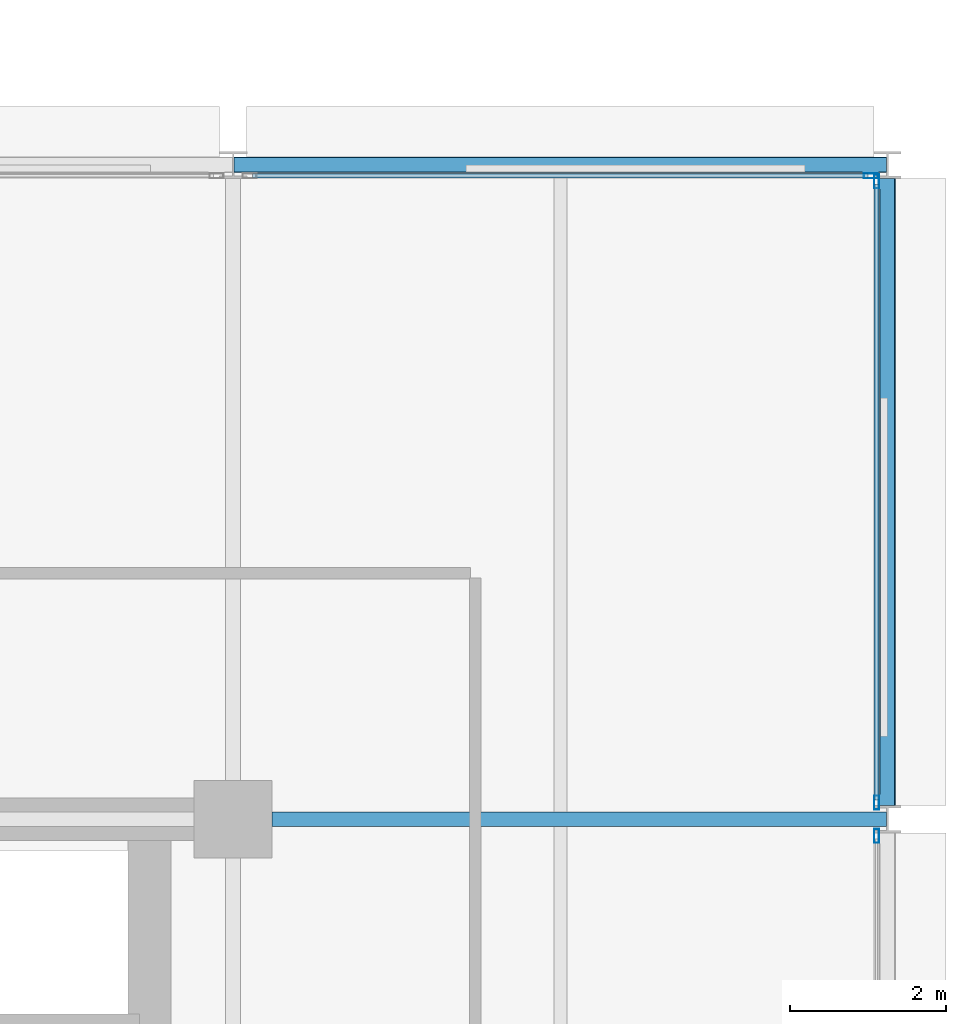
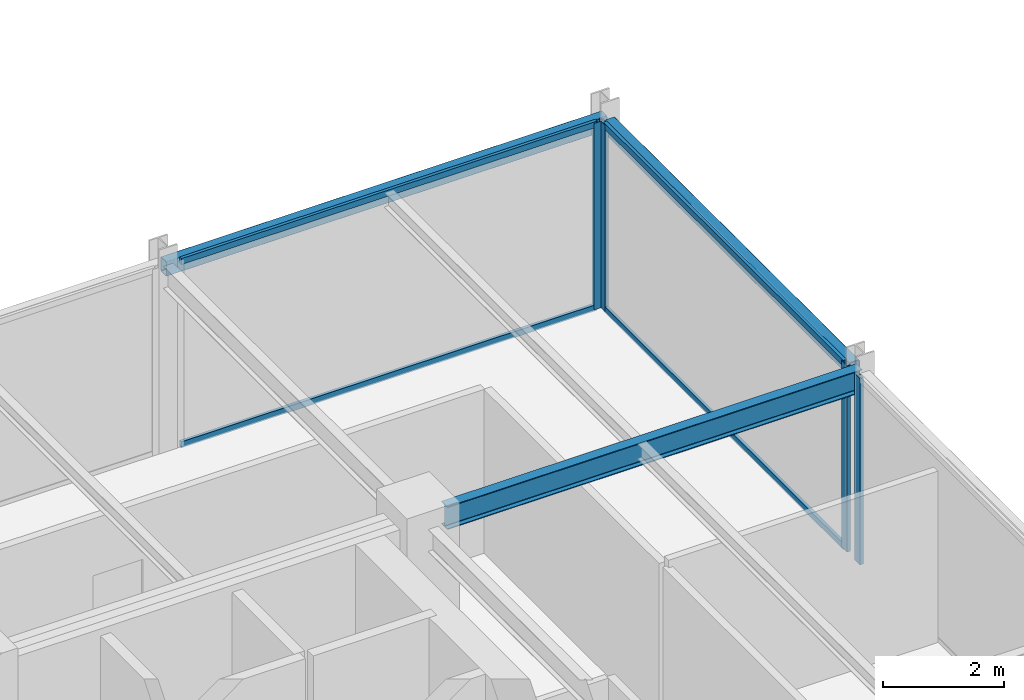
# One storey, part 16 of 30: 8 members, 3 beams, 3 elements without a shape of their own.
"""IFC4 building model written with IfcOpenShell, lengths in metres."""

from ifc_helpers import new_model, si_unit, direction, frame, origin, origin_2d, place, context, subcontext, project, spatial, hollow_rectangle, i_section, extrude, material, layer, layer_set, material_profile, profile_set, type_object, element, aggregate, save


model = new_model("IFC4")

# Units and contexts
model_context = context("Model", 3, precision=1e-05, world=origin(), true_north=direction((0.0, 1.0)))
body_context = subcontext(model_context, "Body", "Model", "MODEL_VIEW")
ifc_project = project(units=[si_unit("LENGTHUNIT", "METRE"), si_unit("AREAUNIT", "SQUARE_METRE"), si_unit("VOLUMEUNIT", "CUBIC_METRE"), si_unit("PLANEANGLEUNIT", "RADIAN"), si_unit("MASSUNIT", "GRAM", prefix="KILO")], contexts=[model_context])

# Site, building, storey
site_placement = place(None, origin())
site = spatial("IfcSite", under=ifc_project, at=site_placement, CompositionType="ELEMENT")
building_placement = place(site_placement, origin())
building = spatial("IfcBuilding", under=site, at=building_placement, Name="Nerrivon Quay Data Exchange", CompositionType="ELEMENT")
storey_placement = place(building_placement, frame((0.0, 0.0, 216.5)))
storey = spatial("IfcBuildingStorey", under=building, at=storey_placement, Name="L51", CompositionType="ELEMENT", Elevation=216.5)

# Beams
ifc_material_1 = material(Name="Steel Grade 350", Category="steel")
ifc_material_profile_1 = material_profile(ifc_material_1, i_section(OverallWidth=0.19091796875, OverallDepth=0.4599609375, WebThickness=0.010009765625, FlangeThickness=0.01611328125, FilletRadius=0.011474609375, at=origin_2d()), Name="460UB82.1")
ifc_profile_set_1 = profile_set([ifc_material_profile_1], Name="Steel Grade 350")
beam_type_1 = type_object("IfcBeamType", Name="BM-G5-460UB82", PredefinedType="BEAM", material=ifc_profile_set_1)
beam_1_placement = place(storey_placement, frame((34.10009765625, 16.800048828125, 3.52001953125), z_axis=(1.0, 0.0, 0.0), x_axis=(0.0, 1.0, 0.0)))
element("IfcBeam", 1, at=beam_1_placement, inside=storey, type_object=beam_type_1, Name="L51 EW Girder Y=16.8 (33.6..42.0)", PredefinedType="BEAM", context=body_context, shape_type="SweptSolid", body=[
    extrude(i_section(OverallWidth=0.19091796875, OverallDepth=0.4599609375, WebThickness=0.010009765625, FlangeThickness=0.01611328125, FilletRadius=0.011474609375, at=origin_2d()), origin(), (0.0, 0.0, 1.0), 7.889892578125),
])
ifc_material_2 = material(Name="Steel Grade C350L0 (350 MPa)", Category="steel")
ifc_material_profile_2 = material_profile(ifc_material_2, hollow_rectangle(XDim=0.199951171875, YDim=0.300048828125, WallThickness=0.012451171875, InnerFilletRadius=0.018798828125, OuterFilletRadius=0.03125, at=origin_2d()), Name="300x200x12.5RHS")
ifc_profile_set_2 = profile_set([ifc_material_profile_2], Name="Steel Grade C350L0 (350 MPa)")
beam_type_2 = type_object("IfcBeamType", Name="BM-SP3-300x200RHS", PredefinedType="SPANDREL", material=ifc_profile_set_2)
beam_2_placement = place(storey_placement, frame((33.610107421875, 25.199951171875, 3.60009765625), z_axis=(1.0, 0.0, 0.0), x_axis=(0.0, 1.0, 0.0)))
element("IfcBeam", 2, at=beam_2_placement, inside=storey, type_object=beam_type_2, Name="L51 EW Girder Y=25.2 (33.6..42.0)", PredefinedType="SPANDREL", context=body_context, shape_type="SweptSolid", body=[
    extrude(hollow_rectangle(XDim=0.199951171875, YDim=0.300048828125, WallThickness=0.012451171875, InnerFilletRadius=0.018798828125, OuterFilletRadius=0.03125, at=origin_2d()), origin(), (0.0, 0.0, 1.0), 8.3798828125),
])
beam_3_placement = place(storey_placement, frame((42.0, 16.97509765625, 3.60009765625), z_axis=(0.0, 1.0, 0.0), x_axis=(-1.0, 0.0, 0.0)))
element("IfcBeam", 3, at=beam_3_placement, inside=storey, type_object=beam_type_2, Name="L51 NS Girder X=42.0 (16.8..25.2)", PredefinedType="SPANDREL", context=body_context, shape_type="SweptSolid", body=[
    extrude(hollow_rectangle(XDim=0.199951171875, YDim=0.300048828125, WallThickness=0.012451171875, InnerFilletRadius=0.018798828125, OuterFilletRadius=0.03125, at=origin_2d()), origin(), (0.0, 0.0, 1.0), 8.0498046875),
])

# Curtain wall, member
ifc_material_3 = material(Name="Anodised aluminium 6063-T6", Category="aluminium")
ifc_layer = layer(ifc_material_3, 0.195068359375)
ifc_layer_set = layer_set([ifc_layer], Name="Anodised aluminium 6063-T6")
curtain_wall_type = type_object("IfcCurtainWallType", Name="CW-SYS-06", PredefinedType="NOTDEFINED", material=ifc_layer_set)
curtain_wall_1_placement = place(storey_placement, origin())
curtain_wall_1 = element("IfcCurtainWall", 4, at=curtain_wall_1_placement, inside=storey, type_object=curtain_wall_type, Name="L51 Unitised Curtain Wall 17", PredefinedType="NOTDEFINED")
ifc_material_profile_3 = material_profile(ifc_material_3, hollow_rectangle(XDim=0.06494140625, YDim=0.179931640625, WallThickness=0.00341796875, at=origin_2d()), Name="ALU-MULL-180x65")
ifc_profile_set_3 = profile_set([ifc_material_profile_3], Name="Anodised aluminium 6063-T6")
member_type_1 = type_object("IfcMemberType", Name="CWM-180x65", PredefinedType="MULLION", material=ifc_profile_set_3)
member_1_placement = place(storey_placement, frame((41.78759765625, 25.06005859375, 0.0), z_axis=(0.0, 0.0, 1.0), x_axis=(0.0, 1.0, 0.0)))
member_1 = element("IfcMember", 5, at=member_1_placement, type_object=member_type_1, Name="CW06 mullion 2", PredefinedType="MULLION", context=body_context, shape_type="SweptSolid", body=[
    extrude(hollow_rectangle(XDim=0.06494140625, YDim=0.179931640625, WallThickness=0.00341796875, at=origin_2d()), origin(), (0.0, 0.0, 1.0), 3.75),
])

# Curtain wall, members
curtain_wall_2_placement = place(storey_placement, origin())
curtain_wall_2 = element("IfcCurtainWall", 6, at=curtain_wall_2_placement, inside=storey, type_object=curtain_wall_type, Name="L51 Unitised Curtain Wall 18", PredefinedType="NOTDEFINED")
member_2_placement = place(storey_placement, frame((41.860107421875, 24.987548828125, 0.0), z_axis=(0.0, 0.0, 1.0), x_axis=(1.0, 0.0, 0.0)))
member_2 = element("IfcMember", 7, at=member_2_placement, type_object=member_type_1, Name="CW06 mullion 1", PredefinedType="MULLION", context=body_context, shape_type="SweptSolid", body=[
    extrude(hollow_rectangle(XDim=0.06494140625, YDim=0.179931640625, WallThickness=0.00341796875, at=origin_2d()), origin(), (0.0, 0.0, 1.0), 3.75),
])
member_3_placement = place(storey_placement, frame((41.860107421875, 17.012451171875, 0.0), z_axis=(0.0, 0.0, 1.0), x_axis=(1.0, 0.0, 0.0)))
member_3 = element("IfcMember", 8, at=member_3_placement, type_object=member_type_1, Name="CW06 mullion 2", PredefinedType="MULLION", context=body_context, shape_type="SweptSolid", body=[
    extrude(hollow_rectangle(XDim=0.06494140625, YDim=0.179931640625, WallThickness=0.00341796875, at=origin_2d()), origin(), (0.0, 0.0, 1.0), 3.75),
])

# Curtain wall, member
curtain_wall_3_placement = place(storey_placement, origin())
curtain_wall_3 = element("IfcCurtainWall", 9, at=curtain_wall_3_placement, inside=storey, type_object=curtain_wall_type, Name="L51 Unitised Curtain Wall 19", PredefinedType="NOTDEFINED")
member_4_placement = place(storey_placement, frame((41.860107421875, 16.58740234375, 0.0), z_axis=(0.0, 0.0, 1.0), x_axis=(1.0, 0.0, 0.0)))
member_4 = element("IfcMember", 10, at=member_4_placement, type_object=member_type_1, Name="CW06 mullion 1", PredefinedType="MULLION", context=body_context, shape_type="SweptSolid", body=[
    extrude(hollow_rectangle(XDim=0.06494140625, YDim=0.179931640625, WallThickness=0.00341796875, at=origin_2d()), origin(), (0.0, 0.0, 1.0), 3.75),
])
aggregate(curtain_wall_3, [member_4])

# Member
ifc_material_profile_4 = material_profile(ifc_material_3, hollow_rectangle(XDim=0.06005859375, YDim=0.1201171875, WallThickness=0.003173828125, at=origin_2d()), Name="ALU-TRAN-120x60")
ifc_profile_set_4 = profile_set([ifc_material_profile_4], Name="Anodised aluminium 6063-T6")
member_type_2 = type_object("IfcMemberType", Name="CWT-120x60", PredefinedType="USERDEFINED", material=ifc_profile_set_4)
member_5_placement = place(storey_placement, frame((33.85009765625, 25.06005859375, 0.032470703125), z_axis=(1.0, 0.0, 0.0), x_axis=(0.0, 1.0, 0.0)))
member_5 = element("IfcMember", 11, at=member_5_placement, type_object=member_type_2, Name="CW06 transom 1.1", ObjectType="TRANSOM", PredefinedType="USERDEFINED", context=body_context, shape_type="SweptSolid", body=[
    extrude(hollow_rectangle(XDim=0.06005859375, YDim=0.1201171875, WallThickness=0.003173828125, at=origin_2d()), origin(), (0.0, 0.0, 1.0), 7.89990234375),
])

member_6_placement = place(storey_placement, frame((33.85009765625, 25.06005859375, 3.717529296875), z_axis=(1.0, 0.0, 0.0), x_axis=(0.0, 1.0, 0.0)))
member_6 = element("IfcMember", 12, at=member_6_placement, type_object=member_type_2, Name="CW06 transom 1.2", ObjectType="TRANSOM", PredefinedType="USERDEFINED", context=body_context, shape_type="SweptSolid", body=[
    extrude(hollow_rectangle(XDim=0.06005859375, YDim=0.1201171875, WallThickness=0.003173828125, at=origin_2d()), origin(), (0.0, 0.0, 1.0), 7.89990234375),
])

aggregate(curtain_wall_1, [member_1, member_5, member_6])

member_7_placement = place(storey_placement, frame((41.860107421875, 24.949951171875, 0.032470703125), z_axis=(0.0, -1.0, 0.0), x_axis=(1.0, 0.0, 0.0)))
member_7 = element("IfcMember", 13, at=member_7_placement, type_object=member_type_2, Name="CW06 transom 1.1", ObjectType="TRANSOM", PredefinedType="USERDEFINED", context=body_context, shape_type="SweptSolid", body=[
    extrude(hollow_rectangle(XDim=0.06005859375, YDim=0.1201171875, WallThickness=0.003173828125, at=origin_2d()), origin(), (0.0, 0.0, 1.0), 7.89990234375),
])

member_8_placement = place(storey_placement, frame((41.860107421875, 24.949951171875, 3.717529296875), z_axis=(0.0, -1.0, 0.0), x_axis=(1.0, 0.0, 0.0)))
member_8 = element("IfcMember", 14, at=member_8_placement, type_object=member_type_2, Name="CW06 transom 1.2", ObjectType="TRANSOM", PredefinedType="USERDEFINED", context=body_context, shape_type="SweptSolid", body=[
    extrude(hollow_rectangle(XDim=0.06005859375, YDim=0.1201171875, WallThickness=0.003173828125, at=origin_2d()), origin(), (0.0, 0.0, 1.0), 7.89990234375),
])

aggregate(curtain_wall_2, [member_2, member_3, member_7, member_8])

save(model, "model.ifc")
